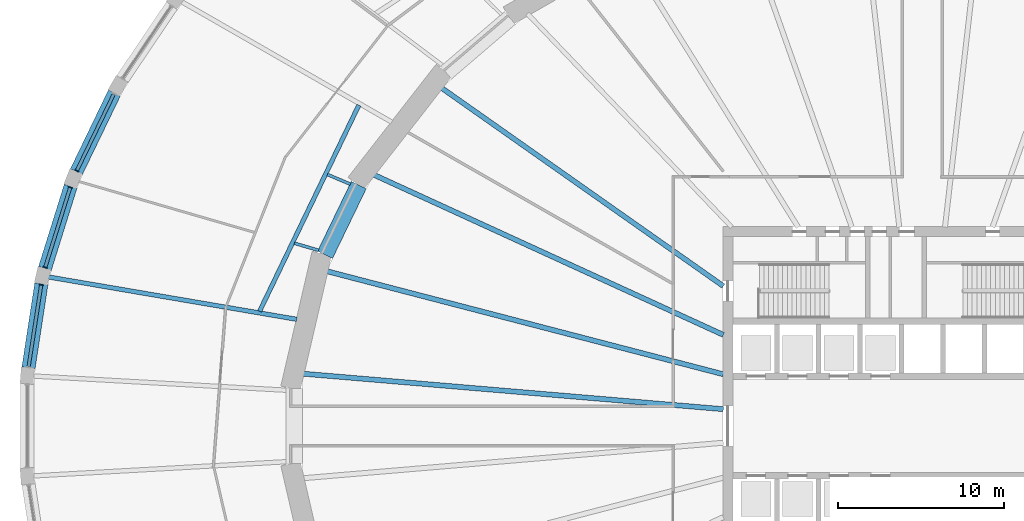
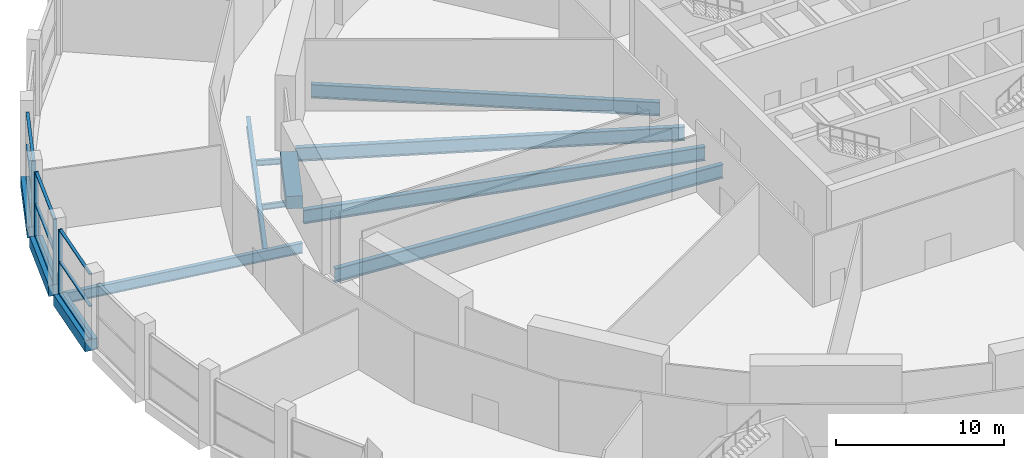
# One storey, part 7 of 29: 13 members, 12 beams, 3 elements without a shape of their own.
"""IFC4 building model written with IfcOpenShell, lengths in metres."""

from ifc_helpers import new_model, si_unit, direction, frame, origin, origin_2d, place, context, subcontext, project, spatial, rectangle, i_section, extrude, material, material_profile, profile_set, type_object, element, aggregate, save


model = new_model("IFC4")

# Units and contexts
model_context = context("Model", 3, precision=1e-05, world=origin(), true_north=direction((0.0, 1.0)))
body_context = subcontext(model_context, "Body", "Model", "MODEL_VIEW")
ifc_project = project(units=[si_unit("LENGTHUNIT", "METRE"), si_unit("AREAUNIT", "SQUARE_METRE"), si_unit("VOLUMEUNIT", "CUBIC_METRE"), si_unit("PLANEANGLEUNIT", "RADIAN"), si_unit("MASSUNIT", "GRAM", prefix="KILO")], contexts=[model_context])

# Site, building, storey
site_placement = place(None, origin())
site = spatial("IfcSite", under=ifc_project, at=site_placement, CompositionType="ELEMENT")
building_placement = place(site_placement, origin())
building = spatial("IfcBuilding", under=site, at=building_placement, Name="Halqa Exchange Tower", CompositionType="ELEMENT")
storey_placement = place(building_placement, frame((0.0, 0.0, 7.0)))
storey = spatial("IfcBuildingStorey", under=building, at=storey_placement, Name="L01", CompositionType="ELEMENT", Elevation=7.0)

# Curtain wall, member
ifc_material_1 = material(Name="Anodised aluminium and clear glass", Category="aluminium")
curtain_wall_type = type_object("IfcCurtainWallType", Name="Exchange hall glazing", PredefinedType="NOTDEFINED", material=ifc_material_1)
curtain_wall_1_placement = place(storey_placement, origin())
curtain_wall_1 = element("IfcCurtainWall", 1, at=curtain_wall_1_placement, inside=storey, type_object=curtain_wall_type, Name="Exchange hall glazing run P21", PredefinedType="NOTDEFINED")
ifc_material_2 = material(Name="Anodised aluminium", Category="aluminium")
ifc_material_profile_1 = material_profile(ifc_material_2, rectangle(XDim=0.25, YDim=0.070068359375, at=origin_2d()), Name="AL 70x250")
ifc_profile_set_1 = profile_set([ifc_material_profile_1], Name="Anodised aluminium")
member_type_1 = type_object("IfcMemberType", Name="Exchange hall glazing mullion 70 x 250", PredefinedType="MULLION", material=ifc_profile_set_1)
member_1_placement = place(storey_placement, frame((-50.9013671875, 15.3642578125, 0.0), z_axis=(0.0, 0.0, 1.0), x_axis=(0.90043534892, -0.434989864727, 0.0)))
member_1 = element("IfcMember", 2, at=member_1_placement, type_object=member_type_1, Name="P21 mullion 2", PredefinedType="MULLION", context=body_context, shape_type="SweptSolid", body=[
    extrude(rectangle(XDim=0.25, YDim=0.070068359375, at=origin_2d()), origin(), (0.0, 0.0, 1.0), 4.699951171875),
])

# Curtain wall, members
curtain_wall_2_placement = place(storey_placement, origin())
curtain_wall_2 = element("IfcCurtainWall", 3, at=curtain_wall_2_placement, inside=storey, type_object=curtain_wall_type, Name="Exchange hall glazing run P22", PredefinedType="NOTDEFINED")
member_2_placement = place(storey_placement, frame((-51.293701171875, 14.3720703125, 0.0), z_axis=(0.0, 0.0, 1.0), x_axis=(0.95447130463, -0.298302746613, 0.0)))
member_2 = element("IfcMember", 4, at=member_2_placement, type_object=member_type_1, Name="P22 mullion 1", PredefinedType="MULLION", context=body_context, shape_type="SweptSolid", body=[
    extrude(rectangle(XDim=0.25, YDim=0.070068359375, at=origin_2d()), origin(), (0.0, 0.0, 1.0), 4.699951171875),
])
member_3_placement = place(storey_placement, frame((-52.802978515625, 9.543212890625, 0.0), z_axis=(0.0, 0.0, 1.0), x_axis=(0.95447130463, -0.298302746613, 0.0)))
member_3 = element("IfcMember", 5, at=member_3_placement, type_object=member_type_1, Name="P22 mullion 2", PredefinedType="MULLION", context=body_context, shape_type="SweptSolid", body=[
    extrude(rectangle(XDim=0.25, YDim=0.070068359375, at=origin_2d()), origin(), (0.0, 0.0, 1.0), 4.699951171875),
])

# Curtain wall, member
curtain_wall_3_placement = place(storey_placement, origin())
curtain_wall_3 = element("IfcCurtainWall", 6, at=curtain_wall_3_placement, inside=storey, type_object=curtain_wall_type, Name="Exchange hall glazing run P23", PredefinedType="NOTDEFINED")
member_4_placement = place(storey_placement, frame((-53.043701171875, 8.50390625, 0.0), z_axis=(0.0, 0.0, 1.0), x_axis=(0.988416304241, -0.151766957898, 0.0)))
member_4 = element("IfcMember", 7, at=member_4_placement, type_object=member_type_1, Name="P23 mullion 1", PredefinedType="MULLION", context=body_context, shape_type="SweptSolid", body=[
    extrude(rectangle(XDim=0.25, YDim=0.070068359375, at=origin_2d()), origin(), (0.0, 0.0, 1.0), 4.699951171875),
])

# Member
ifc_material_profile_2 = material_profile(ifc_material_2, rectangle(XDim=0.199951171875, YDim=0.070068359375, at=origin_2d()), Name="AL 70x200")
ifc_profile_set_2 = profile_set([ifc_material_profile_2], Name="Anodised aluminium")
member_type_2 = type_object("IfcMemberType", Name="Exchange hall glazing transom 70 x 200", PredefinedType="USERDEFINED", material=ifc_profile_set_2)
member_5_placement = place(storey_placement, frame((-48.678955078125, 19.96484375, 0.034912109375), z_axis=(-0.434989893806, -0.900435334872, 0.0), x_axis=(0.900435334872, -0.434989893806, 0.0)))
member_5 = element("IfcMember", 8, at=member_5_placement, type_object=member_type_2, Name="P21 transom 1.1", ObjectType="TRANSOM", PredefinedType="USERDEFINED", context=body_context, shape_type="SweptSolid", body=[
    extrude(rectangle(XDim=0.199951171875, YDim=0.070068359375, at=origin_2d()), origin(), (0.0, 0.0, 1.0), 5.07421875),
])

member_6_placement = place(storey_placement, frame((-48.678955078125, 19.96484375, 2.35009765625), z_axis=(-0.434989893806, -0.900435334872, 0.0), x_axis=(0.900435334872, -0.434989893806, 0.0)))
member_6 = element("IfcMember", 9, at=member_6_placement, type_object=member_type_2, Name="P21 transom 1.2", ObjectType="TRANSOM", PredefinedType="USERDEFINED", context=body_context, shape_type="SweptSolid", body=[
    extrude(rectangle(XDim=0.199951171875, YDim=0.070068359375, at=origin_2d()), origin(), (0.0, 0.0, 1.0), 5.07421875),
])

member_7_placement = place(storey_placement, frame((-48.678955078125, 19.96484375, 4.6650390625), z_axis=(-0.434989893806, -0.900435334872, 0.0), x_axis=(0.900435334872, -0.434989893806, 0.0)))
member_7 = element("IfcMember", 10, at=member_7_placement, type_object=member_type_2, Name="P21 transom 1.3", ObjectType="TRANSOM", PredefinedType="USERDEFINED", context=body_context, shape_type="SweptSolid", body=[
    extrude(rectangle(XDim=0.199951171875, YDim=0.070068359375, at=origin_2d()), origin(), (0.0, 0.0, 1.0), 5.07421875),
])

aggregate(curtain_wall_1, [member_1, member_5, member_6, member_7])

member_8_placement = place(storey_placement, frame((-51.30419921875, 14.338623046875, 0.034912109375), z_axis=(-0.298305642444, -0.954470399586, 0.0), x_axis=(0.954470399586, -0.298305642444, 0.0)))
member_8 = element("IfcMember", 11, at=member_8_placement, type_object=member_type_2, Name="P22 transom 1.1", ObjectType="TRANSOM", PredefinedType="USERDEFINED", context=body_context, shape_type="SweptSolid", body=[
    extrude(rectangle(XDim=0.199951171875, YDim=0.070068359375, at=origin_2d()), origin(), (0.0, 0.0, 1.0), 4.989013671875),
])

member_9_placement = place(storey_placement, frame((-51.30419921875, 14.338623046875, 2.35009765625), z_axis=(-0.298305642444, -0.954470399586, 0.0), x_axis=(0.954470399586, -0.298305642444, 0.0)))
member_9 = element("IfcMember", 12, at=member_9_placement, type_object=member_type_2, Name="P22 transom 1.2", ObjectType="TRANSOM", PredefinedType="USERDEFINED", context=body_context, shape_type="SweptSolid", body=[
    extrude(rectangle(XDim=0.199951171875, YDim=0.070068359375, at=origin_2d()), origin(), (0.0, 0.0, 1.0), 4.989013671875),
])

member_10_placement = place(storey_placement, frame((-51.30419921875, 14.338623046875, 4.6650390625), z_axis=(-0.298305642444, -0.954470399586, 0.0), x_axis=(0.954470399586, -0.298305642444, 0.0)))
member_10 = element("IfcMember", 13, at=member_10_placement, type_object=member_type_2, Name="P22 transom 1.3", ObjectType="TRANSOM", PredefinedType="USERDEFINED", context=body_context, shape_type="SweptSolid", body=[
    extrude(rectangle(XDim=0.199951171875, YDim=0.070068359375, at=origin_2d()), origin(), (0.0, 0.0, 1.0), 4.989013671875),
])

aggregate(curtain_wall_2, [member_2, member_3, member_8, member_9, member_10])

member_11_placement = place(storey_placement, frame((-53.048828125, 8.46923828125, 0.034912109375), z_axis=(-0.151782076139, -0.988413982784, 0.0), x_axis=(0.988413982784, -0.151782076139, 0.0)))
member_11 = element("IfcMember", 14, at=member_11_placement, type_object=member_type_2, Name="P23 transom 1.1", ObjectType="TRANSOM", PredefinedType="USERDEFINED", context=body_context, shape_type="SweptSolid", body=[
    extrude(rectangle(XDim=0.199951171875, YDim=0.070068359375, at=origin_2d()), origin(), (0.0, 0.0, 1.0), 4.934814453125),
])

member_12_placement = place(storey_placement, frame((-53.048828125, 8.46923828125, 2.35009765625), z_axis=(-0.151782076139, -0.988413982784, 0.0), x_axis=(0.988413982784, -0.151782076139, 0.0)))
member_12 = element("IfcMember", 15, at=member_12_placement, type_object=member_type_2, Name="P23 transom 1.2", ObjectType="TRANSOM", PredefinedType="USERDEFINED", context=body_context, shape_type="SweptSolid", body=[
    extrude(rectangle(XDim=0.199951171875, YDim=0.070068359375, at=origin_2d()), origin(), (0.0, 0.0, 1.0), 4.934814453125),
])

member_13_placement = place(storey_placement, frame((-53.048828125, 8.46923828125, 4.6650390625), z_axis=(-0.151782076139, -0.988413982784, 0.0), x_axis=(0.988413982784, -0.151782076139, 0.0)))
member_13 = element("IfcMember", 16, at=member_13_placement, type_object=member_type_2, Name="P23 transom 1.3", ObjectType="TRANSOM", PredefinedType="USERDEFINED", context=body_context, shape_type="SweptSolid", body=[
    extrude(rectangle(XDim=0.199951171875, YDim=0.070068359375, at=origin_2d()), origin(), (0.0, 0.0, 1.0), 4.934814453125),
])

aggregate(curtain_wall_3, [member_4, member_11, member_12, member_13])

# Beams
ifc_material_3 = material(Name="Steel S355", Category="steel")
ifc_material_profile_3 = material_profile(ifc_material_3, i_section(OverallWidth=0.300048828125, OverallDepth=1.0, WebThickness=0.01904296875, FlangeThickness=0.035888671875, FilletRadius=0.030029296875, at=origin_2d()), Name="HEB 1000")
ifc_profile_set_3 = profile_set([ifc_material_profile_3], Name="Steel S355")
beam_type_1 = type_object("IfcBeamType", Name="Floor beam HEB 1000", PredefinedType="BEAM", material=ifc_profile_set_3)
beam_1_placement = place(storey_placement, frame((-11.972412109375, 8.421875, -0.85009765625), z_axis=(-0.817909911418, 0.575346310325, 0.0), x_axis=(-0.575346310325, -0.817909911418, 0.0)))
element("IfcBeam", 17, at=beam_1_placement, inside=storey, type_object=beam_type_1, Name="Radial beam 13", PredefinedType="BEAM", context=body_context, shape_type="SweptSolid", body=[
    extrude(i_section(OverallWidth=0.300048828125, OverallDepth=1.0, WebThickness=0.01904296875, FlangeThickness=0.035888671875, FilletRadius=0.030029296875, at=origin_2d()), origin(), (0.0, 0.0, 1.0), 20.804443359375),
])
beam_2_placement = place(storey_placement, frame((-11.972412109375, 5.485107421875, -0.85009765625), z_axis=(-0.909128229117, 0.416516341843, 0.0), x_axis=(-0.416516341843, -0.909128229117, 0.0)))
element("IfcBeam", 18, at=beam_2_placement, inside=storey, type_object=beam_type_1, Name="Radial beam 14", PredefinedType="BEAM", context=body_context, shape_type="SweptSolid", body=[
    extrude(i_section(OverallWidth=0.300048828125, OverallDepth=1.0, WebThickness=0.01904296875, FlangeThickness=0.035888671875, FilletRadius=0.030029296875, at=origin_2d()), origin(), (0.0, 0.0, 1.0), 23.209228515625),
])
ifc_material_profile_4 = material_profile(ifc_material_3, i_section(OverallWidth=0.302001953125, OverallDepth=1.008056640625, WebThickness=0.02099609375, FlangeThickness=0.0400390625, FilletRadius=0.030029296875, at=origin_2d()), Name="HEM 1000")
ifc_profile_set_4 = profile_set([ifc_material_profile_4], Name="Steel S355")
beam_type_2 = type_object("IfcBeamType", Name="Floor beam HEM 1000", PredefinedType="BEAM", material=ifc_profile_set_4)
beam_3_placement = place(storey_placement, frame((-11.971435546875, 3.11279296875, -0.85400390625), z_axis=(-0.967821064299, 0.251639399735, 0.0), x_axis=(-0.251639399735, -0.967821064299, 0.0)))
element("IfcBeam", 19, at=beam_3_placement, inside=storey, type_object=beam_type_2, Name="Radial beam 15", PredefinedType="BEAM", context=body_context, shape_type="SweptSolid", body=[
    extrude(i_section(OverallWidth=0.302001953125, OverallDepth=1.008056640625, WebThickness=0.02099609375, FlangeThickness=0.0400390625, FilletRadius=0.030029296875, at=origin_2d()), origin(), (0.0, 0.0, 1.0), 24.7314453125),
])
beam_4_placement = place(storey_placement, frame((-11.972412109375, 1.0107421875, -0.85400390625), z_axis=(-0.996455167327, 0.084125498561, 0.0), x_axis=(-0.084125498561, -0.996455167327, 0.0)))
element("IfcBeam", 20, at=beam_4_placement, inside=storey, type_object=beam_type_2, Name="Radial beam 16", PredefinedType="BEAM", context=body_context, shape_type="SweptSolid", body=[
    extrude(i_section(OverallWidth=0.302001953125, OverallDepth=1.008056640625, WebThickness=0.02099609375, FlangeThickness=0.0400390625, FilletRadius=0.030029296875, at=origin_2d()), origin(), (0.0, 0.0, 1.0), 25.460205078125),
])
ifc_material_profile_5 = material_profile(ifc_material_3, i_section(OverallWidth=0.179931640625, OverallDepth=0.39990234375, WebThickness=0.008544921875, FlangeThickness=0.013427734375, FilletRadius=0.02099609375, at=origin_2d()), Name="IPE 400")
ifc_profile_set_5 = profile_set([ifc_material_profile_5], Name="Steel S355")
beam_type_3 = type_object("IfcBeamType", Name="Floor beam IPE 400", PredefinedType="BEAM", material=ifc_profile_set_5)
beam_5_placement = place(storey_placement, frame((-34.423583984375, 14.555419921875, -0.550048828125), z_axis=(-0.921076708702, 0.389381171459, 0.0), x_axis=(-0.389381171459, -0.921076708702, 0.0)))
element("IfcBeam", 21, at=beam_5_placement, inside=storey, type_object=beam_type_3, Name="Radial beam 21a", PredefinedType="BEAM", context=body_context, shape_type="SweptSolid", body=[
    extrude(i_section(OverallWidth=0.179931640625, OverallDepth=0.39990234375, WebThickness=0.008544921875, FlangeThickness=0.013427734375, FilletRadius=0.02099609375, at=origin_2d()), origin(), (0.0, 0.0, 1.0), 1.5078125),
])
beam_6_placement = place(storey_placement, frame((-36.34521484375, 10.578369140625, -0.550048828125), z_axis=(-0.960174163417, 0.279402175917, 0.0), x_axis=(-0.279402175917, -0.960174163417, 0.0)))
element("IfcBeam", 22, at=beam_6_placement, inside=storey, type_object=beam_type_3, Name="Radial beam 22a", PredefinedType="BEAM", context=body_context, shape_type="SweptSolid", body=[
    extrude(i_section(OverallWidth=0.179931640625, OverallDepth=0.39990234375, WebThickness=0.008544921875, FlangeThickness=0.013427734375, FilletRadius=0.02099609375, at=origin_2d()), origin(), (0.0, 0.0, 1.0), 1.521240234375),
])
ifc_material_profile_6 = material_profile(ifc_material_3, i_section(OverallWidth=0.264892578125, OverallDepth=0.7529296875, WebThickness=0.01318359375, FlangeThickness=0.01708984375, FilletRadius=0.01708984375, at=origin_2d()), Name="IPE 750x147")
ifc_profile_set_6 = profile_set([ifc_material_profile_6], Name="Steel S355")
beam_type_4 = type_object("IfcBeamType", Name="Floor beam IPE 750x147", PredefinedType="BEAM", material=ifc_profile_set_6)
beam_7_placement = place(storey_placement, frame((-37.654296875, 6.421875, -0.7265625), z_axis=(-0.985764762639, 0.168130403968, 0.0), x_axis=(-0.168130403968, -0.985764762639, 0.0)))
element("IfcBeam", 23, at=beam_7_placement, inside=storey, type_object=beam_type_4, Name="Radial beam 23", PredefinedType="BEAM", context=body_context, shape_type="SweptSolid", body=[
    extrude(i_section(OverallWidth=0.264892578125, OverallDepth=0.7529296875, WebThickness=0.01318359375, FlangeThickness=0.01708984375, FilletRadius=0.01708984375, at=origin_2d()), origin(), (0.0, 0.0, 1.0), 15.156982421875),
])
beam_8_placement = place(storey_placement, frame((-33.92041015625, 19.3134765625, -0.7265625), z_axis=(-0.433856142987, -0.900982156978, 0.0), x_axis=(0.900982156978, -0.433856142987, 0.0)))
element("IfcBeam", 24, at=beam_8_placement, inside=storey, type_object=beam_type_4, Name="Radial beam TSS3-in", PredefinedType="BEAM", context=body_context, shape_type="SweptSolid", body=[
    extrude(i_section(OverallWidth=0.264892578125, OverallDepth=0.7529296875, WebThickness=0.01318359375, FlangeThickness=0.01708984375, FilletRadius=0.01708984375, at=origin_2d()), origin(), (0.0, 0.0, 1.0), 13.766357421875),
])
ifc_material_4 = material(Name="Concrete C60/75", Category="concrete")
ifc_material_profile_7 = material_profile(ifc_material_4, rectangle(XDim=0.800048828125, YDim=0.800048828125, at=origin_2d()), Name="800 x 800")
ifc_profile_set_7 = profile_set([ifc_material_profile_7], Name="Concrete C60/75")
beam_type_5 = type_object("IfcBeamType", Name="RC podium edge beam 800 x 800 C60/75", PredefinedType="SPANDREL", material=ifc_profile_set_7)
beam_9_placement = place(storey_placement, frame((-48.636962890625, 20.052001953125, -0.39990234375), z_axis=(-0.43497328232, -0.9004433595, 0.0), x_axis=(0.9004433595, -0.43497328232, 0.0)))
element("IfcBeam", 25, at=beam_9_placement, inside=storey, type_object=beam_type_5, Name="Podium edge beam 21", PredefinedType="SPANDREL", context=body_context, shape_type="SweptSolid", body=[
    extrude(rectangle(XDim=0.800048828125, YDim=0.800048828125, at=origin_2d()), origin(), (0.0, 0.0, 1.0), 5.267578125),
])
beam_10_placement = place(storey_placement, frame((-51.275390625, 14.430419921875, -0.39990234375), z_axis=(-0.298331338153, -0.954462368392, 0.0), x_axis=(0.954462368392, -0.298331338153, 0.0)))
element("IfcBeam", 26, at=beam_10_placement, inside=storey, type_object=beam_type_5, Name="Podium edge beam 22", PredefinedType="SPANDREL", context=body_context, shape_type="SweptSolid", body=[
    extrude(rectangle(XDim=0.800048828125, YDim=0.800048828125, at=origin_2d()), origin(), (0.0, 0.0, 1.0), 5.180908203125),
])
beam_11_placement = place(storey_placement, frame((-53.0341796875, 8.56591796875, -0.39990234375), z_axis=(-0.151767505705, -0.988416220128, 0.0), x_axis=(0.988416220128, -0.151767505705, 0.0)))
element("IfcBeam", 27, at=beam_11_placement, inside=storey, type_object=beam_type_5, Name="Podium edge beam 23", PredefinedType="SPANDREL", context=body_context, shape_type="SweptSolid", body=[
    extrude(rectangle(XDim=0.800048828125, YDim=0.800048828125, at=origin_2d()), origin(), (0.0, 0.0, 1.0), 5.1298828125),
])
ifc_material_profile_8 = material_profile(ifc_material_4, rectangle(XDim=1.0, YDim=0.89990234375, at=origin_2d()), Name="1000 x 900")
ifc_profile_set_8 = profile_set([ifc_material_profile_8], Name="Concrete C60/75")
beam_type_6 = type_object("IfcBeamType", Name="RC spandrel beam 1000 x 900 C60/75", PredefinedType="SPANDREL", material=ifc_profile_set_8)
beam_12_placement = place(storey_placement, frame((-33.923095703125, 14.505615234375, -0.449951171875), z_axis=(-0.435068215878, -0.900397494184, 0.0), x_axis=(0.900397494184, -0.435068215878, 0.0)))
element("IfcBeam", 28, at=beam_12_placement, inside=storey, type_object=beam_type_6, Name="Spandrel 14", PredefinedType="SPANDREL", context=body_context, shape_type="SweptSolid", body=[
    extrude(rectangle(XDim=1.0, YDim=0.89990234375, at=origin_2d()), origin(), (0.0, 0.0, 1.0), 4.6630859375),
])

save(model, "model.ifc")
